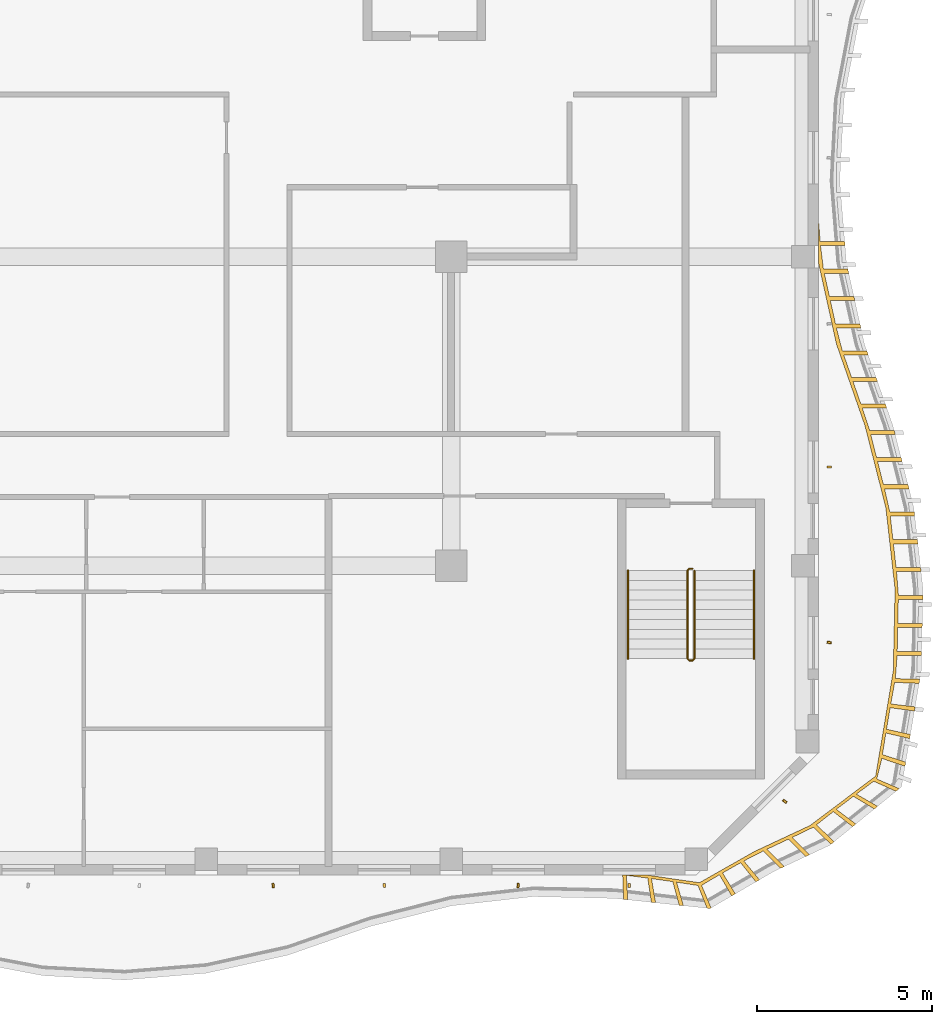
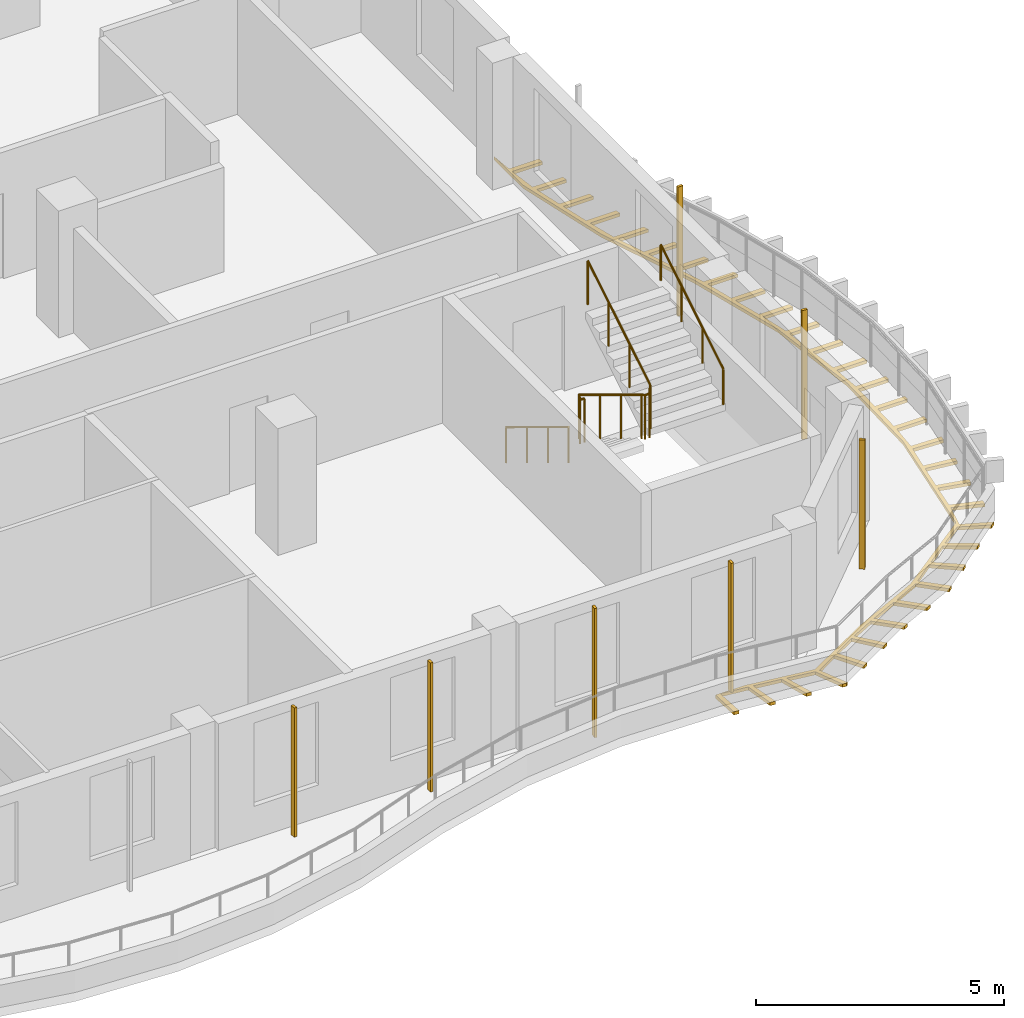
# One storey, part 15 of 18: 8 shading devices, 3 railings.
"""IFC4 building model written with IfcOpenShell, lengths in metres."""

from ifc_helpers import new_model, si_unit, direction, frame, origin, origin_2d, place, context, subcontext, project, spatial, polyline, rectangle, circle, outline, extrude, source, transform, mapped, material, layer, layer_set, material_profile, profile_set, type_object, element, save


model = new_model("IFC4")

# Units and contexts
model_context = context("Model", 3, precision=1e-05, world=origin(), true_north=direction((0.0, 1.0)))
body_context = subcontext(model_context, "Body", "Model", "MODEL_VIEW")
ifc_project = project(units=[si_unit("LENGTHUNIT", "METRE"), si_unit("AREAUNIT", "SQUARE_METRE"), si_unit("VOLUMEUNIT", "CUBIC_METRE"), si_unit("PLANEANGLEUNIT", "RADIAN"), si_unit("MASSUNIT", "GRAM", prefix="KILO")], contexts=[model_context])

# Site, building, storey
site_placement = place(None, origin())
site = spatial("IfcSite", under=ifc_project, at=site_placement, CompositionType="ELEMENT")
building_placement = place(site_placement, origin())
building = spatial("IfcBuilding", under=site, at=building_placement, Name="Kilnfold Tower and Market Hall", CompositionType="ELEMENT")
storey_placement = place(building_placement, frame((0.0, 0.0, 277.199951171875)))
storey = spatial("IfcBuildingStorey", under=building, at=storey_placement, Name="L68", CompositionType="ELEMENT", Elevation=277.199951171875)

# Railings
ifc_material_1 = material(Name="Stainless steel 316", Category="steel")
railing_type_1 = type_object("IfcRailingType", Name="CORE STAIR GUARD 1100", PredefinedType="GUARDRAIL", material=ifc_material_1)
railing_1_placement = place(storey_placement, frame((19.89990234375, -9.75, 0.0)))
element("IfcRailing", 1, at=railing_1_placement, inside=storey, type_object=railing_type_1, Name="L68 ST4 stair guard 1", PredefinedType="GUARDRAIL", context=body_context, shape_type="SweptSolid", body=[
    extrude(circle(Radius=0.02392578125, at=origin_2d()), frame((0.0, 0.0, 1.076171875), z_axis=(-1.0, 0.0, 0.0), x_axis=(0.0, -1.0, 0.0)), (0.0, 0.0, 1.0), 0.099853515625),
    extrude(circle(Radius=0.02392578125, at=origin_2d()), frame((-0.099853515625, 0.0, 1.076171875), z_axis=(-0.271562723297, -0.271562723297, 0.923313259209), x_axis=(0.707106781187, -0.707106781187, 0.0)), (0.0, 0.0, 1.0), 0.184326171875),
    extrude(circle(Radius=0.02392578125, at=origin_2d()), frame((-0.14990234375, -0.050048828125, 1.24609375), z_axis=(0.0, -0.854821627497, 0.518921945155), x_axis=(1.0, 0.0, 0.0)), (0.0, 0.0, 1.0), 2.947998046875),
    extrude(circle(Radius=0.02392578125, at=origin_2d()), frame((-0.14990234375, -2.570068359375, 2.77587890625), z_axis=(0.707106781187, -0.707106781187, 0.0), x_axis=(0.707106781187, 0.707106781187, 0.0)), (0.0, 0.0, 1.0), 0.07080078125),
    extrude(circle(Radius=0.02392578125, at=origin_2d()), frame((-0.099853515625, -2.6201171875, 2.77587890625), z_axis=(1.0, 0.0, 0.0), x_axis=(0.0, 1.0, 0.0)), (0.0, 0.0, 1.0), 0.099853515625),
    extrude(circle(Radius=0.02392578125, at=origin_2d()), frame((0.0, -2.6201171875, 2.77587890625), z_axis=(0.271562723297, 0.271562723297, 0.923313259209), x_axis=(-0.707106781187, 0.707106781187, 0.0)), (0.0, 0.0, 1.0), 0.184326171875),
    extrude(circle(Radius=0.02392578125, at=origin_2d()), frame((0.050048828125, -2.570068359375, 2.9462890625), z_axis=(0.0, 0.85478489116, 0.518982456201), x_axis=(-1.0, 0.0, 0.0)), (0.0, 0.0, 1.0), 2.9482421875),
    extrude(circle(Radius=0.02099609375, at=origin_2d()), origin(), (0.0, 0.0, 1.0), 1.052001953125),
    extrude(circle(Radius=0.02099609375, at=origin_2d()), frame((-0.099853515625, 0.0, 0.0)), (0.0, 0.0, 1.0), 1.052001953125),
    extrude(circle(Radius=0.02099609375, at=origin_2d()), frame((-0.14990234375, -0.050048828125, 0.170166015625)), (0.0, 0.0, 1.0), 1.052001953125),
    extrude(circle(Radius=0.02099609375, at=origin_2d()), frame((-0.14990234375, -0.89013671875, 0.68017578125)), (0.0, 0.0, 1.0), 1.052001953125),
    extrude(circle(Radius=0.02099609375, at=origin_2d()), frame((-0.14990234375, -1.72998046875, 1.18994140625)), (0.0, 0.0, 1.0), 1.052001953125),
    extrude(circle(Radius=0.02099609375, at=origin_2d()), frame((-0.14990234375, -2.570068359375, 1.699951171875)), (0.0, 0.0, 1.0), 1.052001953125),
    extrude(circle(Radius=0.02099609375, at=origin_2d()), frame((-0.099853515625, -2.6201171875, 1.699951171875)), (0.0, 0.0, 1.0), 1.052001953125),
    extrude(circle(Radius=0.02099609375, at=origin_2d()), frame((0.0, -2.6201171875, 1.699951171875)), (0.0, 0.0, 1.0), 1.052001953125),
    extrude(circle(Radius=0.02099609375, at=origin_2d()), frame((0.050048828125, -2.570068359375, 1.8701171875)), (0.0, 0.0, 1.0), 1.052001953125),
    extrude(circle(Radius=0.02099609375, at=origin_2d()), frame((0.050048828125, -1.72998046875, 2.380126953125)), (0.0, 0.0, 1.0), 1.052001953125),
    extrude(circle(Radius=0.02099609375, at=origin_2d()), frame((0.050048828125, -0.89013671875, 2.89013671875)), (0.0, 0.0, 1.0), 1.052001953125),
    extrude(circle(Radius=0.02099609375, at=origin_2d()), frame((0.050048828125, -0.050048828125, 3.400146484375)), (0.0, 0.0, 1.0), 1.052001953125),
])
ifc_material_2 = material(Name="Stainless steel 316", Category="steel")
railing_type_2 = type_object("IfcRailingType", Name="CORE STAIR HANDRAIL 900", PredefinedType="HANDRAIL", material=ifc_material_2)
railing_2_placement = place(storey_placement, frame((18.050048828125, -9.800048828125, 0.170166015625)))
element("IfcRailing", 2, at=railing_2_placement, inside=storey, type_object=railing_type_2, Name="L68 ST4 stair handrail 1", PredefinedType="HANDRAIL", context=body_context, shape_type="SweptSolid", body=[
    extrude(circle(Radius=0.02392578125, at=origin_2d()), frame((0.0, 0.0, 0.8759765625), z_axis=(0.0, -0.854821627497, 0.518921945155), x_axis=(1.0, 0.0, 0.0)), (0.0, 0.0, 1.0), 2.947998046875),
    extrude(circle(Radius=0.02099609375, at=origin_2d()), origin(), (0.0, 0.0, 1.0), 0.851806640625),
    extrude(circle(Radius=0.02099609375, at=origin_2d()), frame((0.0, -0.840087890625, 0.510009765625)), (0.0, 0.0, 1.0), 0.851806640625),
    extrude(circle(Radius=0.02099609375, at=origin_2d()), frame((0.0, -1.679931640625, 1.019775390625)), (0.0, 0.0, 1.0), 0.851806640625),
    extrude(circle(Radius=0.02099609375, at=origin_2d()), frame((0.0, -2.52001953125, 1.52978515625)), (0.0, 0.0, 1.0), 0.851806640625),
])
railing_3_placement = place(storey_placement, frame((21.64990234375, -12.320068359375, 1.8701171875)))
element("IfcRailing", 3, at=railing_3_placement, inside=storey, type_object=railing_type_2, Name="L68 ST4 stair handrail 2", PredefinedType="HANDRAIL", context=body_context, shape_type="SweptSolid", body=[
    extrude(circle(Radius=0.02392578125, at=origin_2d()), frame((0.0, 0.0, 0.8759765625), z_axis=(0.0, 0.85478489116, 0.518982456201), x_axis=(-1.0, 0.0, 0.0)), (0.0, 0.0, 1.0), 2.9482421875),
    extrude(circle(Radius=0.02099609375, at=origin_2d()), origin(), (0.0, 0.0, 1.0), 0.851806640625),
    extrude(circle(Radius=0.02099609375, at=origin_2d()), frame((0.0, 0.840087890625, 0.510009765625)), (0.0, 0.0, 1.0), 0.851806640625),
    extrude(circle(Radius=0.02099609375, at=origin_2d()), frame((0.0, 1.679931640625, 1.02001953125)), (0.0, 0.0, 1.0), 0.851806640625),
    extrude(circle(Radius=0.02099609375, at=origin_2d()), frame((0.0, 2.52001953125, 1.530029296875)), (0.0, 0.0, 1.0), 0.851806640625),
])

# Shading devices
ifc_material_3 = material(Name="Terracotta", Category="masonry")
ifc_material_profile = material_profile(ifc_material_3, rectangle(XDim=0.06005859375, YDim=0.1201171875, at=origin_2d()), Name="BAG 60x120")
ifc_profile_set = profile_set([ifc_material_profile], Name="Terracotta")
shading_device_type_1 = type_object("IfcShadingDeviceType", Name="BAGUETTE", PredefinedType="USERDEFINED", material=ifc_profile_set)
shared_shape_1 = source(origin(), body_context, "Body", "SweptSolid", [
    extrude(rectangle(XDim=0.06005859375, YDim=0.1201171875, at=origin_2d()), origin(), (0.0, 0.0, 1.0), 3.179931640625),
])
for number, where, z_axis, x_axis, name in (
    (4, (7.91259765625, -18.800048828125, 0.0), (0.0, 0.0, 1.0), (0.990272440505, 0.139141990702, 0.0), "Terracotta baguette L68 S"),
    (5, (11.08740234375, -18.800048828125, 0.0), (0.0, 0.0, 1.0), (0.999730106876, 0.023231732749, 0.0), "Terracotta baguette L68 S"),
    (6, (14.91259765625, -18.800048828125, 0.0), (0.0, 0.0, 1.0), (0.990272440505, -0.139141990702, 0.0), "Terracotta baguette L68 S"),
    (7, (18.08740234375, -18.800048828125, 0.0), (0.0, 0.0, 1.0), (0.999730106876, -0.023231732749, 0.0), "Terracotta baguette L68 S"),
    (8, (22.52978515625, -16.394287109375, 0.0), (0.0, 0.0, 1.0), (0.620584084855, 0.78413990692, 0.0), "Terracotta baguette L68 SE"),
    (9, (23.800048828125, -11.856689453125, 0.0), (0.0, 0.0, 1.0), (0.128828481568, 0.991666890814, 0.0), "Terracotta baguette L68 E"),
    (10, (23.800048828125, -6.841796875, 0.0), (0.0, 0.0, 1.0), (-0.040028900851, 0.999198522365, 0.0), "Terracotta baguette L68 E"),
):
    element("IfcShadingDevice", number, at=place(storey_placement, frame(where, z_axis=z_axis, x_axis=x_axis)), inside=storey, type_object=shading_device_type_1, Name=name, ObjectType="BAGUETTE", PredefinedType="USERDEFINED", context=body_context, shape_type="MappedRepresentation", body=[
        mapped(shared_shape_1, transform((0.0, 0.0, 0.0))),
    ])
ifc_material_4 = material(Name="Bronze anodised aluminium", Category="aluminium")
ifc_layer = layer(ifc_material_4, 0.080078125)
ifc_layer_set = layer_set([ifc_layer], Name="Bronze anodised aluminium")
shading_device_type_2 = type_object("IfcShadingDeviceType", Name="BRONZE SLAT SOFFIT 80", PredefinedType="USERDEFINED", material=ifc_layer_set)
shared_shape_2 = source(origin(), body_context, "Body", "SweptSolid", [
    extrude(outline(polyline([(20.0908203125, -18.71923828125), (21.662109375, -17.82861328125), (23.252197265625, -17.08544921875), (25.12841796875, -15.674560546875), (25.63134765625, -12.666748046875), (25.68212890625, -10.333251953125), (25.418212890625, -8.0), (24.823974609375, -5.666748046875), (24.009033203125, -3.333251953125), (23.5, -1.03173828125), (23.5, 0.135009765625), (23.543701171875, -0.3974609375), (24.24365234375, -0.3974609375), (24.25341796875, -0.51708984375), (23.553466796875, -0.51708984375), (23.63525390625, -1.19091796875), (24.335205078125, -1.19091796875), (24.361083984375, -1.30810546875), (23.6611328125, -1.30810546875), (23.807861328125, -1.971923828125), (24.5078125, -1.971923828125), (24.533935546875, -2.089111328125), (23.833984375, -2.089111328125), (23.980712890625, -2.753173828125), (24.6806640625, -2.753173828125), (24.70654296875, -2.8701171875), (24.006591796875, -2.8701171875), (24.1767578125, -3.527587890625), (24.876708984375, -3.527587890625), (24.91650390625, -3.640869140625), (24.21630859375, -3.640869140625), (24.440673828125, -4.28271484375), (25.140625, -4.28271484375), (25.18017578125, -4.39599609375), (24.480224609375, -4.39599609375), (24.704345703125, -5.0380859375), (25.404296875, -5.0380859375), (25.444091796875, -5.1513671875), (24.743896484375, -5.1513671875), (24.95703125, -5.796630859375), (25.656982421875, -5.796630859375), (25.686767578125, -5.9130859375), (24.98681640625, -5.9130859375), (25.154541015625, -6.572021484375), (25.8544921875, -6.572021484375), (25.884033203125, -6.688232421875), (25.18408203125, -6.688232421875), (25.351806640625, -7.34716796875), (26.052001953125, -7.34716796875), (26.08154296875, -7.46337890625), (25.381591796875, -7.46337890625), (25.5322265625, -8.12548828125), (26.232421875, -8.12548828125), (26.245849609375, -8.244873046875), (25.5458984375, -8.244873046875), (25.622314453125, -8.92041015625), (26.322265625, -8.92041015625), (26.3251953125, -8.9453125), (26.335693359375, -9.039794921875), (25.6357421875, -9.039794921875), (25.71240234375, -9.71533203125), (26.412353515625, -9.71533203125), (26.42578125, -9.834716796875), (25.725830078125, -9.834716796875), (25.7783203125, -10.511474609375), (26.478271484375, -10.511474609375), (26.4755859375, -10.63134765625), (25.775634765625, -10.63134765625), (25.760986328125, -11.311279296875), (26.4609375, -11.311279296875), (26.458251953125, -11.43115234375), (25.75830078125, -11.43115234375), (25.743408203125, -12.111083984375), (26.443359375, -12.111083984375), (26.44091796875, -12.23095703125), (25.74072265625, -12.23095703125), (25.690673828125, -12.887939453125), (26.390380859375, -12.907470703125), (26.3701171875, -13.025634765625), (25.6708984375, -12.99658203125), (25.561279296875, -13.611572265625), (26.256103515625, -13.696044921875), (26.236083984375, -13.814453125), (25.54248046875, -13.719970703125), (25.438232421875, -14.3349609375), (26.1220703125, -14.48486328125), (26.101806640625, -14.60302734375), (25.42041015625, -14.443603515625), (25.3212890625, -15.06005859375), (25.98779296875, -15.2734375), (25.9677734375, -15.391845703125), (25.30419921875, -15.1689453125), (25.16015625, -15.75732421875), (25.8037109375, -16.032958984375), (25.71044921875, -16.108642578125), (25.072021484375, -15.822021484375), (24.576904296875, -16.188720703125), (25.183349609375, -16.538330078125), (25.09033203125, -16.614013671875), (24.490478515625, -16.253662109375), (24.003173828125, -16.623779296875), (24.563232421875, -17.043701171875), (24.47021484375, -17.119384765625), (23.917724609375, -16.689697265625), (23.436767578125, -17.06591796875), (23.943115234375, -17.549072265625), (23.85009765625, -17.625), (23.352294921875, -17.1328125), (22.74462890625, -17.426513671875), (23.239501953125, -17.92138671875), (23.130859375, -17.972412109375), (22.6357421875, -17.477294921875), (22.019775390625, -17.765380859375), (22.514892578125, -18.26025390625), (22.406005859375, -18.31103515625), (21.9111328125, -17.816162109375), (21.36083984375, -18.100341796875), (21.81005859375, -18.63720703125), (21.706298828125, -18.697509765625), (21.269287109375, -18.150634765625), (20.75439453125, -18.441162109375), (21.118408203125, -19.0390625), (21.0146484375, -19.099365234375), (20.6640625, -18.493408203125), (20.15478515625, -18.7958984375), (20.426513671875, -19.441162109375), (20.39697265625, -19.458251953125), (20.311767578125, -19.44921875), (20.051513671875, -18.79931640625), (19.439453125, -18.70556640625), (19.635498046875, -19.37744140625), (19.51611328125, -19.364990234375), (19.331787109375, -18.689697265625), (18.72265625, -18.60302734375), (18.840087890625, -19.293212890625), (18.720703125, -19.280517578125), (18.615478515625, -18.58837890625), (18.007080078125, -18.509765625), (18.04443359375, -19.208740234375), (17.925048828125, -19.196044921875), (17.899658203125, -18.5), (18.57470703125, -18.5), (20.0908203125, -18.71923828125)])), origin(), (0.0, 0.0, 1.0), 0.080078125),
])
shading_device_placement = place(storey_placement, frame((0.0, 0.0, -0.300048828125)))
element("IfcShadingDevice", 11, at=shading_device_placement, inside=storey, type_object=shading_device_type_2, Name="Balcony soffit slats L68", ObjectType="SLAT", PredefinedType="USERDEFINED", context=body_context, shape_type="MappedRepresentation", body=[
    mapped(shared_shape_2, transform((0.0, 0.0, 0.0))),
])

save(model, "model.ifc")
